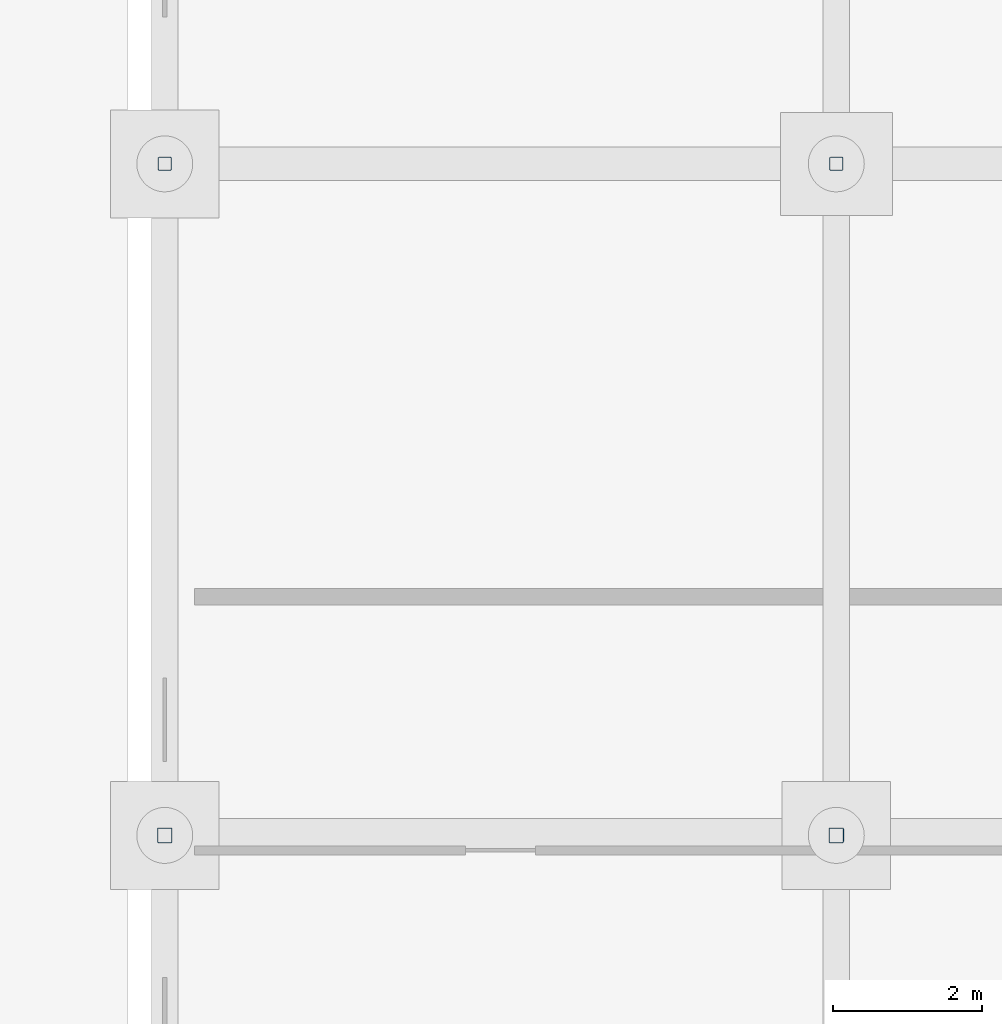
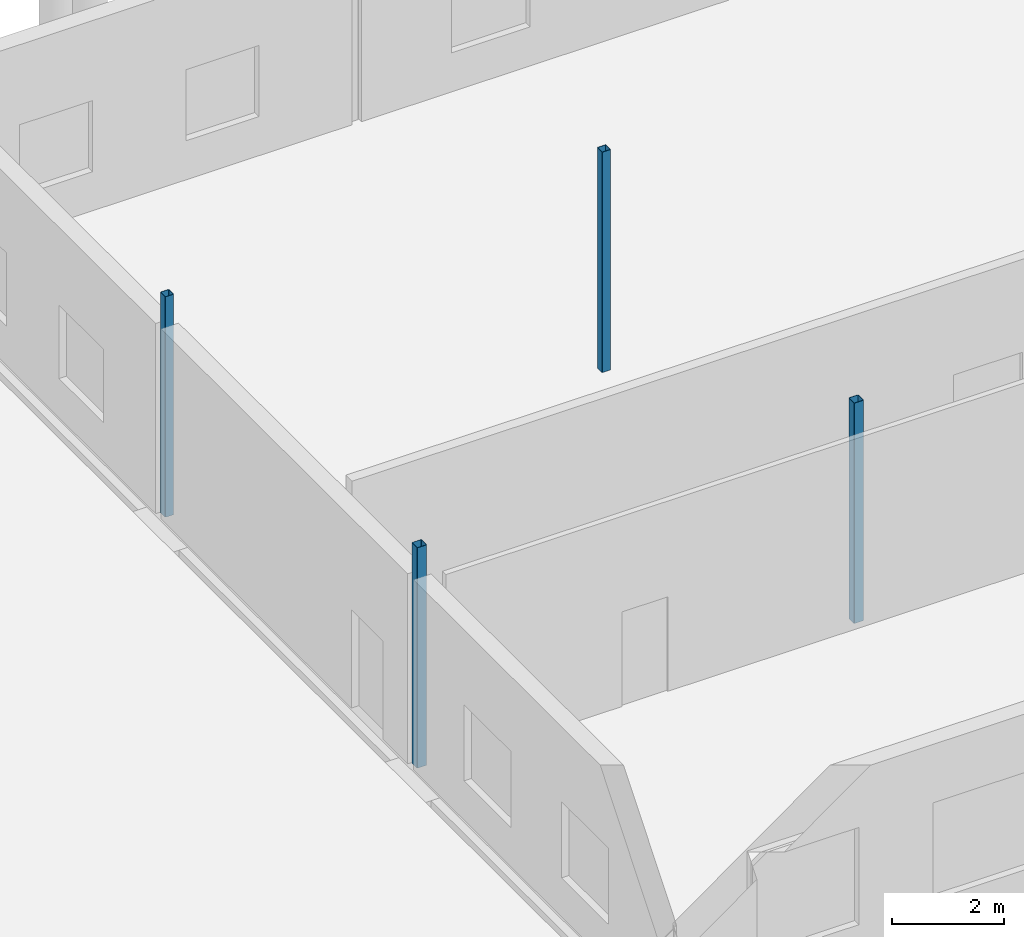
# One storey, part 36 of 112: 4 columns.
"""IFC4 building model written with IfcOpenShell, lengths in metres."""

from ifc_helpers import new_model, si_unit, direction, frame, origin, origin_2d, place, context, subcontext, project, spatial, hollow_rectangle, extrude, material, material_profile, profile_set, type_object, element, save


model = new_model("IFC4")

# Units and contexts
model_context = context("Model", 3, precision=1e-05, world=origin(), true_north=direction((0.0, 1.0)))
body_context = subcontext(model_context, "Body", "Model", "MODEL_VIEW")
ifc_project = project(units=[si_unit("LENGTHUNIT", "METRE"), si_unit("AREAUNIT", "SQUARE_METRE"), si_unit("VOLUMEUNIT", "CUBIC_METRE"), si_unit("PLANEANGLEUNIT", "RADIAN"), si_unit("MASSUNIT", "GRAM", prefix="KILO")], contexts=[model_context])

# Site, building, storey
site_placement = place(None, origin())
site = spatial("IfcSite", under=ifc_project, at=site_placement, CompositionType="ELEMENT")
building_placement = place(site_placement, origin())
building = spatial("IfcBuilding", under=site, at=building_placement, Name="Tharagai Park Tramway Depot", CompositionType="ELEMENT")
storey_placement = place(building_placement, origin())
storey = spatial("IfcBuildingStorey", under=building, at=storey_placement, Name="L00", CompositionType="ELEMENT", Elevation=0.0)

# Columns
ifc_material = material(Name="Steel E350", Category="steel")
ifc_material_profile_1 = material_profile(ifc_material, hollow_rectangle(XDim=0.179931640625, YDim=0.179931640625, WallThickness=0.008056640625, InnerFilletRadius=0.008056640625, OuterFilletRadius=0.01611328125, at=origin_2d()), Name="SHS 180x180x8")
ifc_profile_set_1 = profile_set([ifc_material_profile_1], Name="Steel E350")
column_type_1 = type_object("IfcColumnType", Name="CL-04", PredefinedType="COLUMN", material=ifc_profile_set_1)
for number, where, z_axis, x_axis, name in (
    (1, (171.0, 72.0, 0.0), (0.0, 0.0, 1.0), (1.0, 0.0, 0.0), "L00 Structural Column CL-04 (171,72)"),
    (2, (180.0, 72.0, 0.0), (0.0, 0.0, 1.0), (1.0, 0.0, 0.0), "L00 Structural Column CL-04 (180,72)"),
):
    element("IfcColumn", number, at=place(storey_placement, frame(where, z_axis=z_axis, x_axis=x_axis)), inside=storey, type_object=column_type_1, Name=name, PredefinedType="COLUMN", context=body_context, shape_type="SweptSolid", body=[
        extrude(hollow_rectangle(XDim=0.179931640625, YDim=0.179931640625, WallThickness=0.008056640625, InnerFilletRadius=0.008056640625, OuterFilletRadius=0.01611328125, at=origin_2d()), origin(), (0.0, 0.0, 1.0), 4.800048828125),
    ])
ifc_material_profile_2 = material_profile(ifc_material, hollow_rectangle(XDim=0.199951171875, YDim=0.199951171875, WallThickness=0.008056640625, InnerFilletRadius=0.008056640625, OuterFilletRadius=0.01611328125, at=origin_2d()), Name="SHS 200x200x8")
ifc_profile_set_2 = profile_set([ifc_material_profile_2], Name="Steel E350")
column_type_2 = type_object("IfcColumnType", Name="CL-11", PredefinedType="COLUMN", material=ifc_profile_set_2)
for number, where, z_axis, x_axis, name in (
    (3, (171.0, 63.0, 0.0), (0.0, 0.0, 1.0), (1.0, 0.0, 0.0), "L00 Structural Column CL-11 (171,63)"),
    (4, (180.0, 63.0, 0.0), (0.0, 0.0, 1.0), (1.0, 0.0, 0.0), "L00 Structural Column CL-11 (180,63)"),
):
    element("IfcColumn", number, at=place(storey_placement, frame(where, z_axis=z_axis, x_axis=x_axis)), inside=storey, type_object=column_type_2, Name=name, PredefinedType="COLUMN", context=body_context, shape_type="SweptSolid", body=[
        extrude(hollow_rectangle(XDim=0.199951171875, YDim=0.199951171875, WallThickness=0.008056640625, InnerFilletRadius=0.008056640625, OuterFilletRadius=0.01611328125, at=origin_2d()), origin(), (0.0, 0.0, 1.0), 4.800048828125),
    ])

save(model, "model.ifc")
